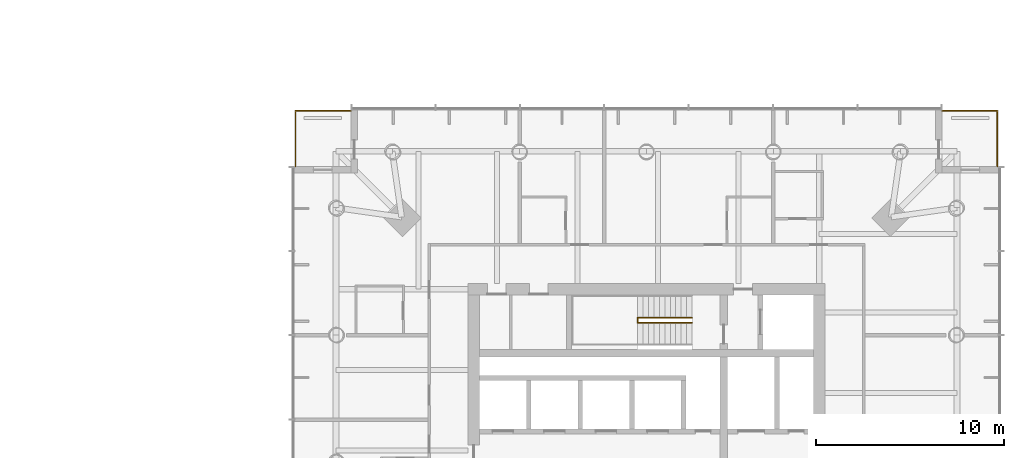
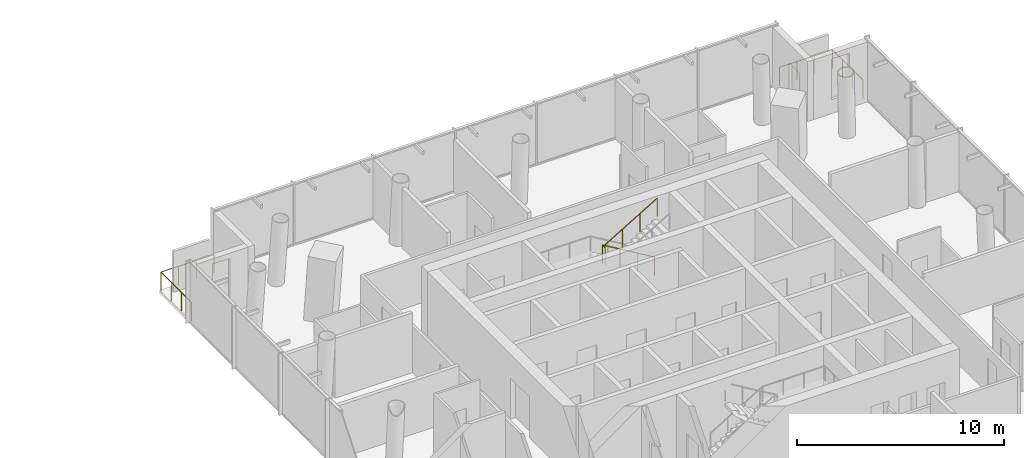
# One storey, part 24 of 24: 3 railings.
"""IFC4 building model written with IfcOpenShell, lengths in metres."""

from ifc_helpers import new_model, si_unit, direction, frame, origin, origin_2d, place, context, subcontext, project, spatial, circle, extrude, material, type_object, element, save


model = new_model("IFC4")

# Units and contexts
model_context = context("Model", 3, precision=1e-05, world=origin(), true_north=direction((0.0, 1.0)))
body_context = subcontext(model_context, "Body", "Model", "MODEL_VIEW")
ifc_project = project(units=[si_unit("LENGTHUNIT", "METRE"), si_unit("AREAUNIT", "SQUARE_METRE"), si_unit("VOLUMEUNIT", "CUBIC_METRE"), si_unit("PLANEANGLEUNIT", "RADIAN"), si_unit("MASSUNIT", "GRAM", prefix="KILO")], contexts=[model_context])

# Site, building, storey
site_placement = place(None, origin())
site = spatial("IfcSite", under=ifc_project, at=site_placement, CompositionType="ELEMENT")
building_placement = place(site_placement, origin())
building = spatial("IfcBuilding", under=site, at=building_placement, Name="Ostroluk Exchange", CompositionType="ELEMENT")
storey_placement = place(building_placement, frame((0.0, 0.0, 78.0)))
storey = spatial("IfcBuildingStorey", under=building, at=storey_placement, Name="L19", CompositionType="ELEMENT", Elevation=78.0)

# Railings
ifc_material_1 = material(Name="Stainless steel", Category="steel")
railing_type_1 = type_object("IfcRailingType", Name="Guard 1100 stainless steel", PredefinedType="GUARDRAIL", material=ifc_material_1)
railing_1_placement = place(storey_placement, frame((132.75, 64.699951171875, 0.0)))
element("IfcRailing", 1, at=railing_1_placement, inside=storey, type_object=railing_type_1, Name="Hotel tower NE balcony guard L19", PredefinedType="GUARDRAIL", context=body_context, shape_type="SweptSolid", body=[
    extrude(circle(Radius=0.02392578125, at=origin_2d()), frame((0.0, 0.0, 1.076171875), z_axis=(1.0, 0.0, 0.0), x_axis=(0.0, 1.0, 0.0)), (0.0, 0.0, 1.0), 2.949951171875),
    extrude(circle(Radius=0.02392578125, at=origin_2d()), frame((2.949951171875, 0.0, 1.076171875), z_axis=(0.0, -1.0, 0.0), x_axis=(1.0, 0.0, 0.0)), (0.0, 0.0, 1.0), 2.949951171875),
    extrude(circle(Radius=0.02099609375, at=origin_2d()), origin(), (0.0, 0.0, 1.0), 1.052001953125),
    extrude(circle(Radius=0.02099609375, at=origin_2d()), frame((0.9833984375, 0.0, 0.0)), (0.0, 0.0, 1.0), 1.052001953125),
    extrude(circle(Radius=0.02099609375, at=origin_2d()), frame((1.966552734375, 0.0, 0.0)), (0.0, 0.0, 1.0), 1.052001953125),
    extrude(circle(Radius=0.02099609375, at=origin_2d()), frame((2.949951171875, 0.0, 0.0)), (0.0, 0.0, 1.0), 1.052001953125),
    extrude(circle(Radius=0.02099609375, at=origin_2d()), frame((2.949951171875, -0.9833984375, 0.0)), (0.0, 0.0, 1.0), 1.052001953125),
    extrude(circle(Radius=0.02099609375, at=origin_2d()), frame((2.949951171875, -1.966552734375, 0.0)), (0.0, 0.0, 1.0), 1.052001953125),
    extrude(circle(Radius=0.02099609375, at=origin_2d()), frame((2.949951171875, -2.949951171875, 0.0)), (0.0, 0.0, 1.0), 1.052001953125),
])
railing_2_placement = place(storey_placement, frame((101.25, 64.699951171875, 0.0)))
element("IfcRailing", 2, at=railing_2_placement, inside=storey, type_object=railing_type_1, Name="Hotel tower NW balcony guard L19", PredefinedType="GUARDRAIL", context=body_context, shape_type="SweptSolid", body=[
    extrude(circle(Radius=0.02392578125, at=origin_2d()), frame((0.0, 0.0, 1.076171875), z_axis=(-1.0, 0.0, 0.0), x_axis=(0.0, -1.0, 0.0)), (0.0, 0.0, 1.0), 2.949951171875),
    extrude(circle(Radius=0.02392578125, at=origin_2d()), frame((-2.949951171875, 0.0, 1.076171875), z_axis=(0.0, -1.0, 0.0), x_axis=(1.0, 0.0, 0.0)), (0.0, 0.0, 1.0), 2.949951171875),
    extrude(circle(Radius=0.02099609375, at=origin_2d()), origin(), (0.0, 0.0, 1.0), 1.052001953125),
    extrude(circle(Radius=0.02099609375, at=origin_2d()), frame((-0.9833984375, 0.0, 0.0)), (0.0, 0.0, 1.0), 1.052001953125),
    extrude(circle(Radius=0.02099609375, at=origin_2d()), frame((-1.966552734375, 0.0, 0.0)), (0.0, 0.0, 1.0), 1.052001953125),
    extrude(circle(Radius=0.02099609375, at=origin_2d()), frame((-2.949951171875, 0.0, 0.0)), (0.0, 0.0, 1.0), 1.052001953125),
    extrude(circle(Radius=0.02099609375, at=origin_2d()), frame((-2.949951171875, -0.9833984375, 0.0)), (0.0, 0.0, 1.0), 1.052001953125),
    extrude(circle(Radius=0.02099609375, at=origin_2d()), frame((-2.949951171875, -1.966552734375, 0.0)), (0.0, 0.0, 1.0), 1.052001953125),
    extrude(circle(Radius=0.02099609375, at=origin_2d()), frame((-2.949951171875, -2.949951171875, 0.0)), (0.0, 0.0, 1.0), 1.052001953125),
])
ifc_material_2 = material(Name="Steel S355", Category="steel")
railing_type_2 = type_object("IfcRailingType", Name="Stair guard 1100", PredefinedType="GUARDRAIL", material=ifc_material_2)
railing_3_placement = place(storey_placement, frame((119.429931640625, 53.679931640625, 0.172607421875)))
element("IfcRailing", 3, at=railing_3_placement, inside=storey, type_object=railing_type_2, Name="Stair T2-S2 guard L19", PredefinedType="GUARDRAIL", context=body_context, shape_type="SweptSolid", body=[
    extrude(circle(Radius=0.02392578125, at=origin_2d()), frame((0.0, 0.0, 1.076171875), z_axis=(-0.859141464434, 0.0, 0.511738159696), x_axis=(0.0, -1.0, 0.0)), (0.0, 0.0, 1.0), 3.375244140625),
    extrude(circle(Radius=0.02392578125, at=origin_2d()), frame((-2.89990234375, 0.0, 2.80322265625), z_axis=(0.0, -1.0, 0.0), x_axis=(1.0, 0.0, 0.0)), (0.0, 0.0, 1.0), 0.260009765625),
    extrude(circle(Radius=0.02392578125, at=origin_2d()), frame((-2.89990234375, -0.260009765625, 2.80322265625), z_axis=(0.0, 0.0, 1.0), x_axis=(1.0, 0.0, 0.0)), (0.0, 0.0, 1.0), 0.1728515625),
    extrude(circle(Radius=0.02392578125, at=origin_2d()), frame((-2.89990234375, -0.260009765625, 2.97607421875), z_axis=(0.859141464434, 0.0, 0.511738159696), x_axis=(0.0, 1.0, 0.0)), (0.0, 0.0, 1.0), 3.375244140625),
    extrude(circle(Radius=0.02099609375, at=origin_2d()), origin(), (0.0, 0.0, 1.0), 1.052001953125),
    extrude(circle(Radius=0.02099609375, at=origin_2d()), frame((-0.966552734375, 0.0, 0.57568359375)), (0.0, 0.0, 1.0), 1.052001953125),
    extrude(circle(Radius=0.02099609375, at=origin_2d()), frame((-1.933349609375, 0.0, 1.151611328125)), (0.0, 0.0, 1.0), 1.052001953125),
    extrude(circle(Radius=0.02099609375, at=origin_2d()), frame((-2.89990234375, 0.0, 1.727294921875)), (0.0, 0.0, 1.0), 1.052001953125),
    extrude(circle(Radius=0.02099609375, at=origin_2d()), frame((-2.89990234375, -0.260009765625, 1.727294921875)), (0.0, 0.0, 1.0), 1.052001953125),
    extrude(circle(Radius=0.02099609375, at=origin_2d()), frame((-2.89990234375, -0.260009765625, 1.900146484375)), (0.0, 0.0, 1.0), 1.052001953125),
    extrude(circle(Radius=0.02099609375, at=origin_2d()), frame((-1.933349609375, -0.260009765625, 2.475830078125)), (0.0, 0.0, 1.0), 1.052001953125),
    extrude(circle(Radius=0.02099609375, at=origin_2d()), frame((-0.966552734375, -0.260009765625, 3.0517578125)), (0.0, 0.0, 1.0), 1.052001953125),
    extrude(circle(Radius=0.02099609375, at=origin_2d()), frame((0.0, -0.260009765625, 3.62744140625)), (0.0, 0.0, 1.0), 1.052001953125),
])

save(model, "model.ifc")
